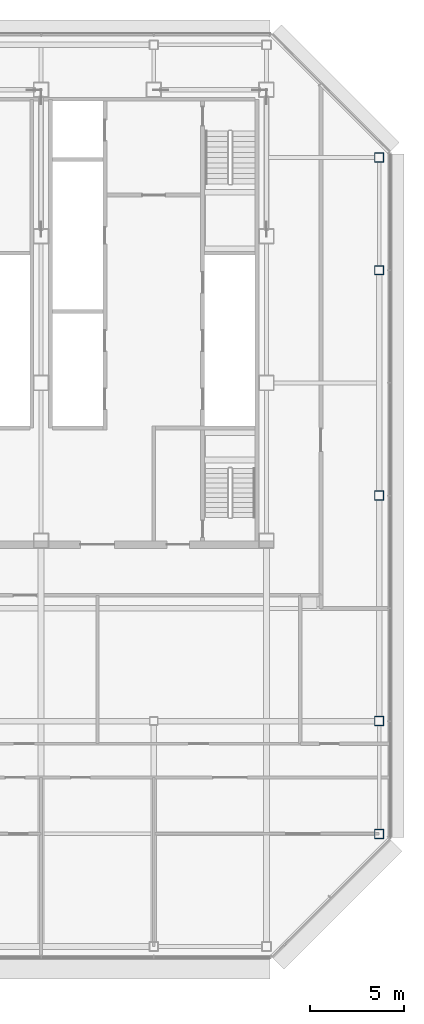
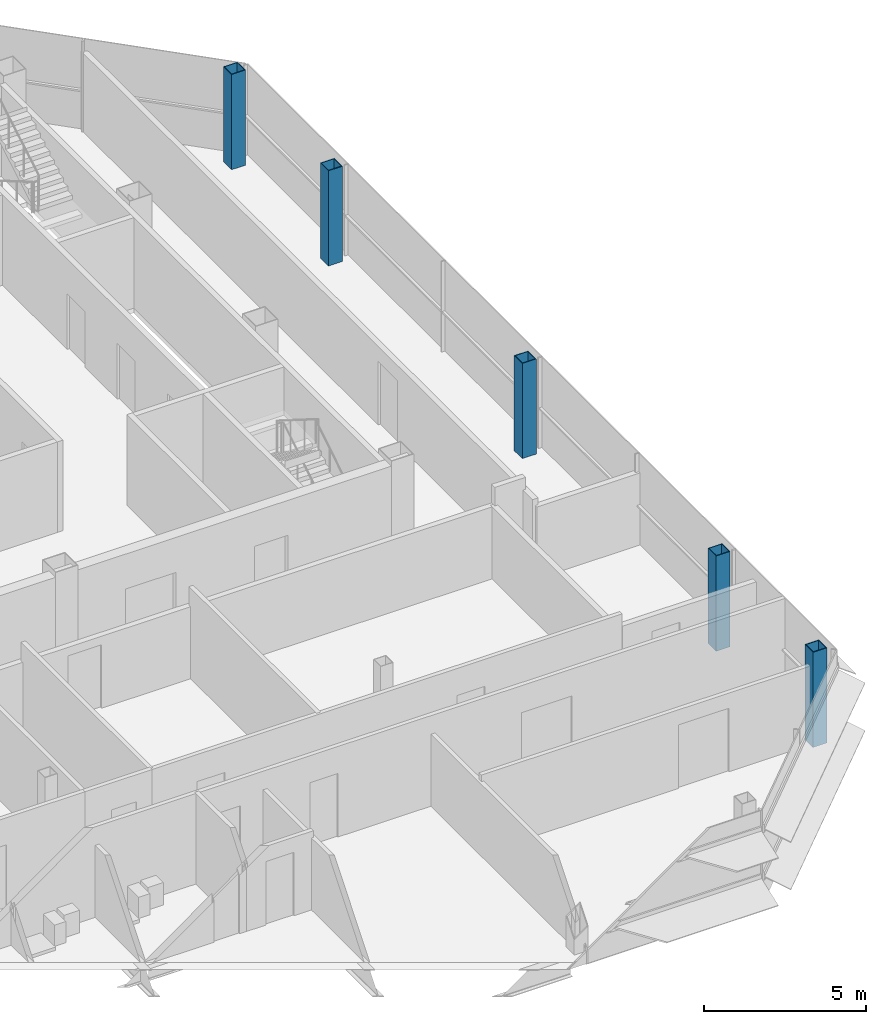
# One storey, part 3 of 31: 5 columns.
"""IFC4 building model written with IfcOpenShell, lengths in metres."""

import ifcopenshell
import ifcopenshell.guid

model = None  # the IFC model being written
_history = None  # IfcOwnerHistory: only IFC2X3 demands one
_inside = {}  # id of a spatial element -> (the spatial element, [elements in it])
_under = {}  # id of a project, library or spatial element -> (it, [spatial elements below it])
_declared = {}  # id of a project -> (the project, [libraries it declares])
_typed = {}  # id of a type object -> (the type object, [elements of that type])
_made_of = {}  # id of a material, layer set ... -> (it, [elements and type objects made of it])


def new_model(schema):
    """Start an empty IFC model of exactly this schema.

    Asked for "IFC4X3", IfcOpenShell would pick the latest addendum, in which some entities
    have other attributes; the version numbers below select the first issue.
    IFC2X3 requires an IfcOwnerHistory on every rooted entity: one is made here for all.
    """
    global model, _history
    if schema == "IFC4X3":
        model = ifcopenshell.file(schema_version=(4, 3, 0, 0))
    else:
        model = ifcopenshell.file(schema=schema)
    _inside.clear()
    _under.clear()
    _declared.clear()
    _typed.clear()
    _made_of.clear()
    _history = None
    if model.schema == "IFC2X3":
        org = make("IfcOrganization", Name="unknown")
        user = make(
            "IfcPersonAndOrganization",
            ThePerson=make("IfcPerson", FamilyName="unknown"),
            TheOrganization=org,
        )
        app = make(
            "IfcApplication",
            ApplicationDeveloper=org,
            Version="unknown",
            ApplicationFullName="unknown",
            ApplicationIdentifier="unknown",
        )
        _history = make(
            "IfcOwnerHistory",
            OwningUser=user,
            OwningApplication=app,
            ChangeAction="ADDED",
            CreationDate=0,
        )
    return model


def make(cls, **values):
    """One entity of the class cls with the attributes given. An attribute that is None is left unset."""
    return model.create_entity(
        cls, **{name: value for name, value in values.items() if value is not None}
    )


def rooted(cls, **values):
    """An entity with a GlobalId (a new one), such as an element, a storey or a relation."""
    return make(cls, GlobalId=ifcopenshell.guid.new(), OwnerHistory=_history, **values)


def si_unit(unit_type, name, prefix=None):
    """IfcSIUnit, for example si_unit("LENGTHUNIT", "METRE", prefix="MILLI")."""
    return make("IfcSIUnit", UnitType=unit_type, Prefix=prefix, Name=name)


def assignment(units):
    """IfcUnitAssignment: the units of a project."""
    return None if units is None else make("IfcUnitAssignment", Units=units)


def point(xyz):
    """IfcCartesianPoint."""
    return None if xyz is None else make("IfcCartesianPoint", Coordinates=xyz)


def direction(xyz):
    """IfcDirection."""
    return None if xyz is None else make("IfcDirection", DirectionRatios=xyz)


def frame(location, z_axis=None, x_axis=None):
    """IfcAxis2Placement3D, a coordinate frame: its origin and axes. An axis left out is left unset."""
    return make(
        "IfcAxis2Placement3D",
        Location=point(location),
        Axis=direction(z_axis),
        RefDirection=direction(x_axis),
    )


def frame_2d(location, x_axis=None):
    """IfcAxis2Placement2D, a coordinate frame in the plane: its origin and x axis."""
    return make(
        "IfcAxis2Placement2D", Location=point(location), RefDirection=direction(x_axis)
    )


def origin():
    """The frame at (0, 0, 0) with its axes left unset."""
    return frame((0.0, 0.0, 0.0))


def origin_2d():
    """The frame at (0, 0) in the plane with its x axis left unset."""
    return frame_2d((0.0, 0.0))


def place(relative_to, where):
    """IfcLocalPlacement: puts the frame where relative to a parent placement (None: the world)."""
    return make(
        "IfcLocalPlacement", PlacementRelTo=relative_to, RelativePlacement=where
    )


def context(
    kind, dimensions, precision=None, world=None, true_north=None, identifier=None
):
    """IfcGeometricRepresentationContext, for example the 3D "Model" context."""
    return make(
        "IfcGeometricRepresentationContext",
        ContextIdentifier=identifier,
        ContextType=kind,
        CoordinateSpaceDimension=dimensions,
        Precision=precision,
        WorldCoordinateSystem=world,
        TrueNorth=true_north,
    )


def subcontext(parent, identifier, kind, view, scale=None):
    """IfcGeometricRepresentationSubContext, for example "Body" below "Model"."""
    return make(
        "IfcGeometricRepresentationSubContext",
        ContextIdentifier=identifier,
        ContextType=kind,
        ParentContext=parent,
        TargetScale=scale,
        TargetView=view,
    )


def project(units=None, contexts=None):
    """IfcProject with its units and contexts."""
    return rooted(
        "IfcProject",
        Name="project",
        RepresentationContexts=contexts,
        UnitsInContext=assignment(units),
    )


def spatial(cls, under=None, at=None, **own):
    """A site, building, storey or space (cls), placed at a placement, below another one or the project."""
    s = rooted(cls, ObjectPlacement=at, **own)
    if under is not None:
        _under.setdefault(under.id(), (under, []))[1].append(s)
    return s


def profile(cls, at=None, kind="AREA", **sizes):
    """A parametric profile (cls). Its sizes go by their IFC names, for example OverallWidth=200.0."""
    return make(cls, ProfileType=kind, Position=at, **sizes)


def hollow_rectangle(**sizes):
    """IfcRectangleHollowProfileDef."""
    return profile("IfcRectangleHollowProfileDef", **sizes)


def extrude(swept, where, along, depth):
    """IfcExtrudedAreaSolid: the profile swept, set in the frame where, extruded along a direction by depth."""
    return make(
        "IfcExtrudedAreaSolid",
        SweptArea=swept,
        Position=where,
        ExtrudedDirection=direction(along),
        Depth=depth,
    )


def shape(context_of_items, identifier, shape_type, items):
    """IfcShapeRepresentation: the items that make up one representation, for example the "Body"."""
    return make(
        "IfcShapeRepresentation",
        ContextOfItems=context_of_items,
        RepresentationIdentifier=identifier,
        RepresentationType=shape_type,
        Items=items,
    )


def material(Name=None, Category=None):
    """IfcMaterial."""
    return make("IfcMaterial", Name=Name, Category=Category)


def material_profile(
    of_material, cross_section, Name=None, Category=None, Priority=None
):
    """IfcMaterialProfile: a cross section and its material."""
    return make(
        "IfcMaterialProfile",
        Name=Name,
        Material=of_material,
        Profile=cross_section,
        Priority=Priority,
        Category=Category,
    )


def profile_set(profiles, Name=None, composite=None):
    """IfcMaterialProfileSet."""
    return make(
        "IfcMaterialProfileSet",
        Name=Name,
        MaterialProfiles=profiles,
        CompositeProfile=composite,
    )


def made_of(thing, what):
    """Note that an element or type object is made of a material, layer set ...; save() writes the relation."""
    if what is not None:
        _made_of.setdefault(what.id(), (what, []))[1].append(thing)
    return thing


def type_object(cls, material=None, **own):
    """A type object (cls), such as IfcWallType, which elements share."""
    return made_of(rooted(cls, **own), material)


def element(
    cls,
    number,
    at=None,
    inside=None,
    cuts=None,
    type_object=None,
    material=None,
    context=None,
    identifier="Body",
    shape_type=None,
    held_by="IfcProductDefinitionShape",
    body=None,
    shapes=None,
    **own,
):
    """One element of the class cls, such as IfcWall. Its Tag is "e" and its number.

    at: its placement. inside: the storey or other place that contains it. cuts: it is an
    opening in that element (IfcRelVoidsElement). A single representation is given by context,
    identifier, shape_type and body (its items); several are given by shapes. held_by: the class
    of the entity that holds the representations. save() writes the other relations.
    """
    e = rooted(cls, Tag="e%d" % number, ObjectPlacement=at, **own)
    if body is not None:
        shapes = [shape(context, identifier, shape_type, body)]
    if shapes is not None:
        e.Representation = make(held_by, Representations=shapes)
    if inside is not None:
        _inside.setdefault(inside.id(), (inside, []))[1].append(e)
    if cuts is not None:
        rooted(
            "IfcRelVoidsElement", RelatingBuildingElement=cuts, RelatedOpeningElement=e
        )
    if type_object is not None:
        _typed.setdefault(type_object.id(), (type_object, []))[1].append(e)
    return made_of(e, material)


def aggregate(whole, parts):
    """IfcRelAggregates: a whole, such as a stair, and the parts it consists of."""
    return rooted("IfcRelAggregates", RelatingObject=whole, RelatedObjects=parts)


def save(model, path):
    """Write the relations noted so far, then the file.

    IfcRelAggregates (storeys below a building ...), IfcRelContainedInSpatialStructure (elements
    in a storey), IfcRelDefinesByType, IfcRelAssociatesMaterial and IfcRelDeclares: one each for
    every whole, place, type object, material and project.
    """
    for whole, parts in _under.values():
        aggregate(whole, parts)
    for where, things in _inside.values():
        rooted(
            "IfcRelContainedInSpatialStructure",
            RelatedElements=things,
            RelatingStructure=where,
        )
    for kind, things in _typed.values():
        rooted("IfcRelDefinesByType", RelatedObjects=things, RelatingType=kind)
    for what, things in _made_of.values():
        rooted("IfcRelAssociatesMaterial", RelatedObjects=things, RelatingMaterial=what)
    for by, libraries in _declared.values():
        rooted("IfcRelDeclares", RelatingContext=by, RelatedDefinitions=libraries)
    model.write(path)


model = new_model("IFC4")

# Units and contexts
model_context = context("Model", 3, precision=1e-05, world=origin(), true_north=direction((0.0, 1.0)))
body_context = subcontext(model_context, "Body", "Model", "MODEL_VIEW")
ifc_project = project(units=[si_unit("LENGTHUNIT", "METRE"), si_unit("AREAUNIT", "SQUARE_METRE"), si_unit("VOLUMEUNIT", "CUBIC_METRE"), si_unit("PLANEANGLEUNIT", "RADIAN"), si_unit("MASSUNIT", "GRAM", prefix="KILO")], contexts=[model_context])

# Site, building, storey
site_placement = place(None, origin())
site = spatial("IfcSite", under=ifc_project, at=site_placement, CompositionType="ELEMENT")
building_placement = place(site_placement, origin())
building = spatial("IfcBuilding", under=site, at=building_placement, Name="Sorahane Residences", CompositionType="ELEMENT")
storey_placement = place(building_placement, frame((0.0, 0.0, 319.60009765625)))
storey = spatial("IfcBuildingStorey", under=building, at=storey_placement, Name="L76", CompositionType="ELEMENT", Elevation=319.60009765625)

# Columns
ifc_material = material(Name="Steel Q355B", Category="steel")
ifc_material_profile = material_profile(ifc_material, hollow_rectangle(XDim=0.5, YDim=0.5, WallThickness=0.02490234375, at=origin_2d()), Name="BOX 500x500x25")
ifc_profile_set = profile_set([ifc_material_profile], Name="Steel Q355B")
column_type = type_object("IfcColumnType", Name="Steel box column BOX 500x500x25 Q355B", PredefinedType="COLUMN", material=ifc_profile_set)
for number, where, z_axis, x_axis, name in (
    (1, (48.0, 6.0, 0.0), (0.0, 0.0, 1.0), (1.0, 0.0, 0.0), "Column L76 48/6"),
    (2, (48.0, 12.0, 0.0), (0.0, 0.0, 1.0), (1.0, 0.0, 0.0), "Column L76 48/12"),
    (3, (48.0, 24.0, 0.0), (0.0, 0.0, 1.0), (1.0, 0.0, 0.0), "Column L76 48/24"),
    (4, (48.0, 36.0, 0.0), (0.0, 0.0, 1.0), (1.0, 0.0, 0.0), "Column L76 48/36"),
    (5, (48.0, 42.0, 0.0), (0.0, 0.0, 1.0), (1.0, 0.0, 0.0), "Column L76 48/42"),
):
    element("IfcColumn", number, at=place(storey_placement, frame(where, z_axis=z_axis, x_axis=x_axis)), inside=storey, type_object=column_type, Name=name, PredefinedType="COLUMN", context=body_context, shape_type="SweptSolid", body=[
        extrude(hollow_rectangle(XDim=0.5, YDim=0.5, WallThickness=0.02490234375, at=origin_2d()), origin(), (0.0, 0.0, 1.0), 3.599853515625),
    ])

save(model, "model.ifc")
